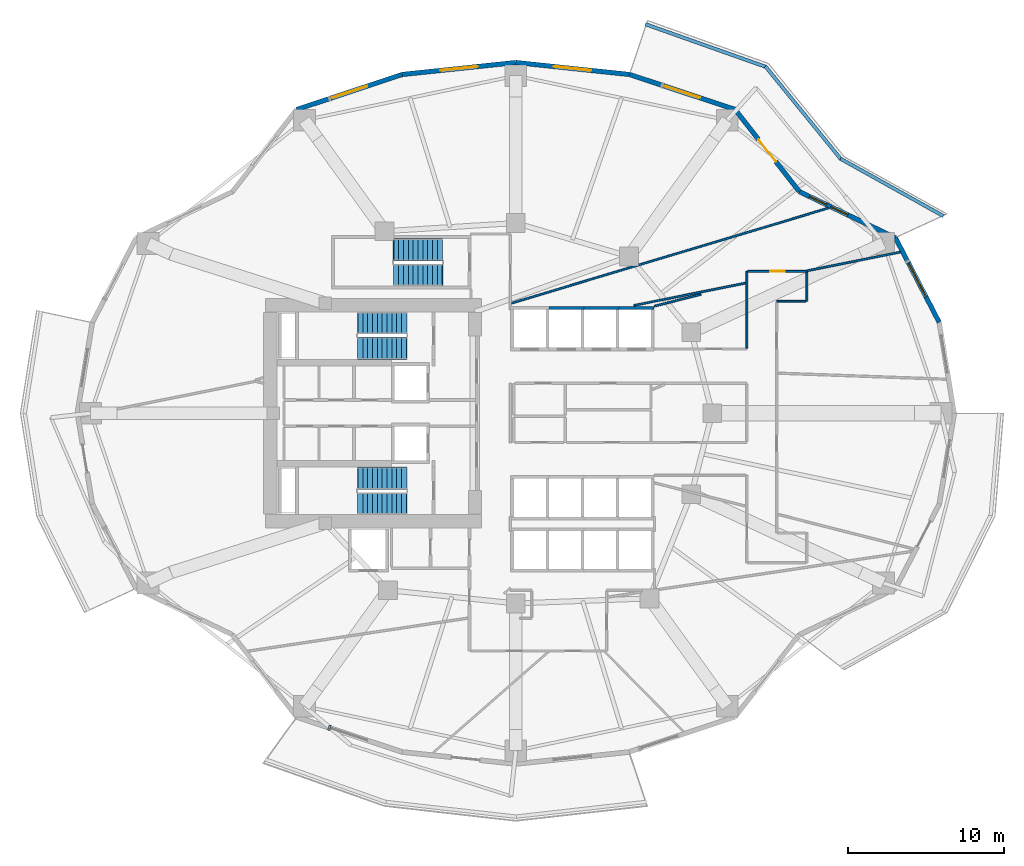
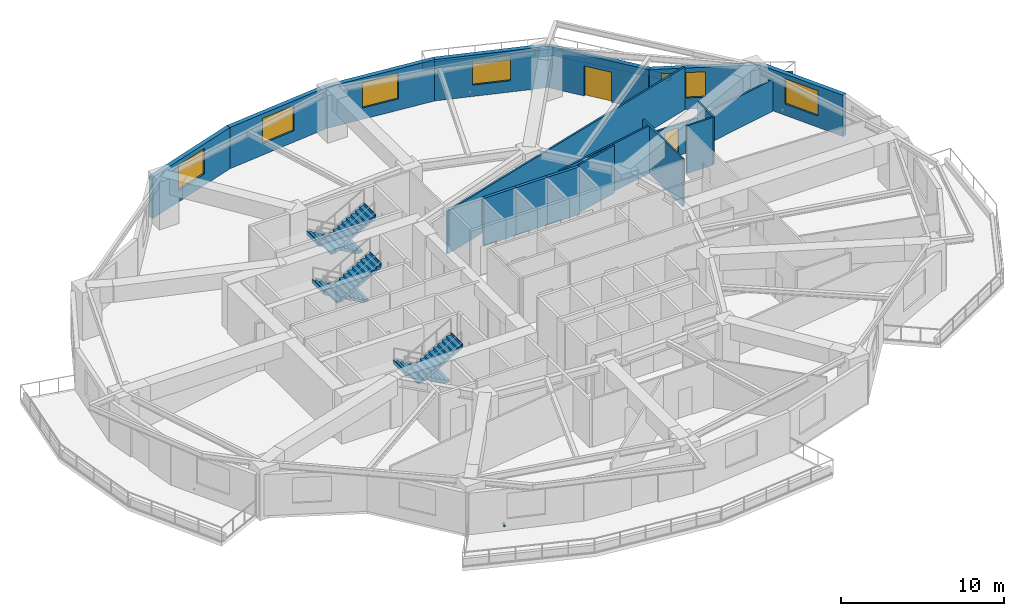
# One storey, part 7 of 13: 21 walls, 7 windows, 6 stair flights, 2 doors, 1 discrete accessory, 9 openings, 3 elements without a shape of their own.
"""IFC4 building model written with IfcOpenShell, lengths in metres."""

from ifc_helpers import new_model, si_unit, direction, frame, frame_2d, origin, origin_2d, place, context, subcontext, project, spatial, polyline, rectangle, outline, extrude, material, layer, layer_set, type_object, element, fill, aggregate, save


model = new_model("IFC4")

# Units and contexts
model_context = context("Model", 3, precision=1e-05, world=origin(), true_north=direction((0.0, 1.0)))
body_context = subcontext(model_context, "Body", "Model", "MODEL_VIEW")
ifc_project = project(units=[si_unit("LENGTHUNIT", "METRE"), si_unit("AREAUNIT", "SQUARE_METRE"), si_unit("VOLUMEUNIT", "CUBIC_METRE"), si_unit("PLANEANGLEUNIT", "RADIAN"), si_unit("MASSUNIT", "GRAM", prefix="KILO")], contexts=[model_context])

# Site, building, storey
site_placement = place(None, origin())
site = spatial("IfcSite", under=ifc_project, at=site_placement, CompositionType="ELEMENT")
building_placement = place(site_placement, origin())
building = spatial("IfcBuilding", under=site, at=building_placement, Name="Kolvaren Gate Tower and Convention Centre", CompositionType="ELEMENT")
storey_placement = place(building_placement, frame((0.0, 0.0, 49.60009765625)))
storey = spatial("IfcBuildingStorey", under=building, at=storey_placement, Name="L11", CompositionType="ELEMENT", Elevation=49.60009765625)

# Wall
ifc_material_1 = material(Name="Fire-Rated Acoustic Gypsum Stud Partition", Category="gypsum")
ifc_layer_1 = layer(ifc_material_1, 0.1201171875)
ifc_layer_set_1 = layer_set([ifc_layer_1], Name="Fire-Rated Acoustic Gypsum Stud Partition")
wall_type_1 = type_object("IfcWallType", Name="ARCH-WL-PART-120", PredefinedType="PARTITIONING", material=ifc_layer_set_1)
wall_1_placement = place(storey_placement, frame((44.949951171875, 31.181884765625, 0.0), z_axis=(0.0, 0.0, 1.0), x_axis=(0.0, 1.0, 0.0)))
element("IfcWall", 1, at=wall_1_placement, inside=storey, type_object=wall_type_1, Name="Interior Partition WL-L11-INT-034", PredefinedType="PARTITIONING", context=body_context, shape_type="SweptSolid", body=[
    extrude(rectangle(XDim=4.918212890625, YDim=0.1201171875, at=frame_2d((2.458984375, 0.0))), origin(), (0.0, 0.0, 1.0), 3.56982421875),
])

# Wall, opening, door
wall_2_placement = place(storey_placement, frame((45.011962890625, 36.10009765625, 0.0), z_axis=(0.0, 0.0, 1.0), x_axis=(1.0, 0.0, 0.0)))
wall_2 = element("IfcWall", 2, at=wall_2_placement, inside=storey, type_object=wall_type_1, Name="Interior Partition WL-L11-INT-035", PredefinedType="PARTITIONING", context=body_context, shape_type="SweptSolid", body=[
    extrude(rectangle(XDim=3.7880859375, YDim=0.1201171875, at=frame_2d((1.89404296875, 0.0))), origin(), (0.0, 0.0, 1.0), 2.3623046875),
])
opening_1_placement = place(wall_2_placement, frame((1.4189453125, 0.0, 0.0)))
opening_1 = element("IfcOpeningElement", 3, at=opening_1_placement, cuts=wall_2, Name="Opening DR-01", PredefinedType="OPENING", context=body_context, shape_type="SweptSolid", body=[
    extrude(rectangle(XDim=0.949951171875, YDim=2.10009765625, at=frame_2d((0.47509765625, 1.050048828125))), frame((0.0, 0.070068359375, 0.0), z_axis=(0.0, -1.0, 0.0), x_axis=(1.0, 0.0, 0.0)), (0.0, 0.0, 1.0), 0.14013671875),
])
ifc_material_2 = material(Name="Painted Architectural Steelwork ASTM A500 Grade C 345 MPa", Category="steel")
door_type_1 = type_object("IfcDoorType", Name="ARCH-DR-RISER-950", OperationType="SINGLE_SWING_RIGHT", PredefinedType="DOOR", material=ifc_material_2)
door_1_placement = place(opening_1_placement, origin())
door_1 = element("IfcDoor", 4, at=door_1_placement, inside=storey, type_object=door_type_1, Name="Quiet Reading Clubroom Door", OperationType="SINGLE_SWING_RIGHT", OverallHeight=2.10009765625, OverallWidth=0.949951171875, PredefinedType="DOOR", context=body_context, shape_type="SweptSolid", body=[
    extrude(rectangle(XDim=0.949951171875, YDim=2.10009765625, at=frame_2d((0.47509765625, 1.050048828125))), frame((0.0, 0.02490234375, 0.0), z_axis=(0.0, -1.0, 0.0), x_axis=(1.0, 0.0, 0.0)), (0.0, 0.0, 1.0), 0.050048828125),
])
fill(opening_1, door_1)

# Walls
wall_3_placement = place(storey_placement, frame((48.800048828125, 34.179931640625, 0.0), z_axis=(0.0, 0.0, 1.0), x_axis=(0.0, 1.0, 0.0)))
element("IfcWall", 5, at=wall_3_placement, inside=storey, type_object=wall_type_1, Name="Interior Partition WL-L11-INT-037", PredefinedType="PARTITIONING", context=body_context, shape_type="SweptSolid", body=[
    extrude(rectangle(XDim=1.858154296875, YDim=0.1201171875, at=frame_2d((0.92919921875, 0.0))), origin(), (0.0, 0.0, 1.0), 3.56982421875),
])
wall_4_placement = place(storey_placement, frame((46.8701171875, 34.179931640625, 0.0), z_axis=(0.0, 0.0, 1.0), x_axis=(1.0, 0.0, 0.0)))
element("IfcWall", 6, at=wall_4_placement, inside=storey, type_object=wall_type_1, Name="Interior Partition WL-L11-INT-038", PredefinedType="PARTITIONING", context=body_context, shape_type="SweptSolid", body=[
    extrude(rectangle(XDim=1.867919921875, YDim=0.1201171875, at=frame_2d((0.93408203125, 0.0))), origin(), (0.0, 0.0, 1.0), 3.56982421875),
])
wall_5_placement = place(storey_placement, frame((37.697998046875, 33.912109375, 0.0), z_axis=(0.0, 0.0, 1.0), x_axis=(0.980510182708, 0.196468271245, 0.0)))
element("IfcWall", 7, at=wall_5_placement, inside=storey, type_object=wall_type_1, Name="Interior Partition WL-L11-INT-048", PredefinedType="PARTITIONING", context=body_context, shape_type="SweptSolid", body=[
    extrude(rectangle(XDim=7.332763671875, YDim=0.1201171875, at=frame_2d((3.66650390625, 0.0))), origin(), (0.0, 0.0, 1.0), 3.56982421875),
])
wall_6_placement = place(storey_placement, frame((48.800048828125, 36.13671875, 0.0), z_axis=(0.0, 0.0, 1.0), x_axis=(0.980512919928, 0.196454610165, 0.0)))
element("IfcWall", 8, at=wall_6_placement, inside=storey, type_object=wall_type_1, Name="Interior Partition WL-L11-INT-049", PredefinedType="PARTITIONING", context=body_context, shape_type="SweptSolid", body=[
    extrude(rectangle(XDim=6.10302734375, YDim=0.1201171875, at=frame_2d((3.051513671875, 0.0))), origin(), (0.0, 0.0, 1.0), 2.3623046875),
])
wall_7_placement = place(storey_placement, frame((39.02001953125, 33.8701171875, 0.0), z_axis=(0.0, 0.0, 1.0), x_axis=(0.969711955751, 0.244251351837, 0.0)))
element("IfcWall", 9, at=wall_7_placement, inside=storey, type_object=wall_type_1, Name="Interior Partition WL-L11-INT-059", PredefinedType="PARTITIONING", context=body_context, shape_type="SweptSolid", body=[
    extrude(rectangle(XDim=3.07958984375, YDim=0.1201171875, at=frame_2d((1.539794921875, 0.0))), origin(), (0.0, 0.0, 1.0), 3.56982421875),
])
wall_8_placement = place(storey_placement, frame((29.842041015625, 34.0576171875, 0.0), z_axis=(0.0, 0.0, 1.0), x_axis=(0.957798094038, 0.287441839435, 0.0)))
element("IfcWall", 10, at=wall_8_placement, inside=storey, type_object=wall_type_1, Name="Interior Partition WL-L11-INT-061", PredefinedType="PARTITIONING", context=body_context, shape_type="SweptSolid", body=[
    extrude(rectangle(XDim=21.217041015625, YDim=0.1201171875, at=frame_2d((10.6083984375, 0.0))), origin(), (0.0, 0.0, 1.0), 3.204833984375),
])
ifc_material_3 = material(Name="Piedmont Cream Honed Limestone Cladding", Category="masonry")
ifc_layer_2 = layer(ifc_material_3, 0.219970703125)
ifc_layer_set_2 = layer_set([ifc_layer_2], Name="Piedmont Cream Honed Limestone Cladding")
wall_type_2 = type_object("IfcWallType", Name="ARCH-WL-PLANTER-220", PredefinedType="PARAPET", material=ifc_layer_set_2)
wall_9_placement = place(storey_placement, frame((50.959228515625, 43.322021484375, 0.0), z_axis=(0.0, 0.0, 1.0), x_axis=(0.873500119739, -0.48682393205, 0.0)))
element("IfcWall", 11, at=wall_9_placement, inside=storey, type_object=wall_type_2, Name="Vertical-Forest Balcony Stone Planter Kerb PK-L11-1.1", PredefinedType="PARAPET", context=body_context, shape_type="SweptSolid", body=[
    extrude(rectangle(XDim=7.56201171875, YDim=0.219970703125, at=frame_2d((3.781005859375, 0.0))), origin(), (0.0, 0.0, 1.0), 0.52001953125),
])
wall_10_placement = place(storey_placement, frame((46.1357421875, 49.251220703125, 0.0), z_axis=(0.0, 0.0, 1.0), x_axis=(0.630997450658, -0.775784903993, 0.0)))
element("IfcWall", 12, at=wall_10_placement, inside=storey, type_object=wall_type_2, Name="Vertical-Forest Balcony Stone Planter Kerb PK-L11-1.2", PredefinedType="PARAPET", context=body_context, shape_type="SweptSolid", body=[
    extrude(rectangle(XDim=7.7177734375, YDim=0.219970703125, at=frame_2d((3.85888671875, 0.0))), origin(), (0.0, 0.0, 1.0), 0.52001953125),
])
wall_11_placement = place(storey_placement, frame((38.43798828125, 51.955078125, 0.0), z_axis=(0.0, 0.0, 1.0), x_axis=(0.942581348797, -0.333976647237, 0.0)))
element("IfcWall", 13, at=wall_11_placement, inside=storey, type_object=wall_type_2, Name="Vertical-Forest Balcony Stone Planter Kerb PK-L11-1.3", PredefinedType="PARAPET", context=body_context, shape_type="SweptSolid", body=[
    extrude(rectangle(XDim=8.235595703125, YDim=0.219970703125, at=frame_2d((4.11767578125, 0.0))), origin(), (0.0, 0.0, 1.0), 0.52001953125),
])
ifc_material_4 = material(Name="Autoclaved Aerated Masonry Blockwork Class 4 (4.0 MPa)", Category="masonry")
ifc_layer_3 = layer(ifc_material_4, 0.199951171875)
ifc_layer_set_3 = layer_set([ifc_layer_3], Name="Autoclaved Aerated Masonry Blockwork Class 4 (4.0 MPa)")
wall_type_3 = type_object("IfcWallType", Name="ARCH-WL-SHAFT-200", PredefinedType="SOLIDWALL", material=ifc_layer_set_3)
for number, where, z_axis, x_axis, name in (
    (14, (32.25, 33.75, 0.0), (0.0, 0.0, 1.0), (1.0, 0.0, 0.0), "Elevator PL-02 L11 Fire Shaft Wall N"),
    (15, (34.5, 33.75, 0.0), (0.0, 0.0, 1.0), (1.0, 0.0, 0.0), "Elevator PL-03 L11 Fire Shaft Wall N"),
    (16, (36.75, 33.75, 0.0), (0.0, 0.0, 1.0), (1.0, 0.0, 0.0), "Elevator PL-04 L11 Fire Shaft Wall N"),
):
    element("IfcWall", number, at=place(storey_placement, frame(where, z_axis=z_axis, x_axis=x_axis)), inside=storey, type_object=wall_type_3, Name=name, PredefinedType="SOLIDWALL", context=body_context, shape_type="SweptSolid", body=[
        extrude(rectangle(XDim=2.25, YDim=0.199951171875, at=frame_2d((1.125, 0.0))), origin(), (0.0, 0.0, 1.0), 3.56982421875),
    ])

# Wall, opening, window
ifc_layer_4 = layer(ifc_material_3, 0.300048828125)
ifc_layer_set_4 = layer_set([ifc_layer_4], Name="Piedmont Cream Honed Limestone Cladding")
wall_type_4 = type_object("IfcWallType", Name="ARCH-WL-STONE-300", PredefinedType="SOLIDWALL", material=ifc_layer_set_4)
wall_12_placement = place(storey_placement, frame((54.48193359375, 38.25, 0.0), z_axis=(0.0, 0.0, 1.0), x_axis=(0.459809804413, -0.88801742312, 0.0)))
wall_12 = element("IfcWall", 17, at=wall_12_placement, inside=storey, type_object=wall_type_4, Name="Tower L11 Honed Stone Spandrel Wall EW-01", PredefinedType="SOLIDWALL", context=body_context, shape_type="SweptSolid", body=[
    extrude(rectangle(XDim=6.11083984375, YDim=0.300048828125, at=frame_2d((3.055419921875, 0.0))), origin(), (0.0, 0.0, 1.0), 3.093017578125),
])
opening_2_placement = place(wall_12_placement, frame((1.85498046875, 0.0, 0.85009765625)))
opening_2 = element("IfcOpeningElement", 18, at=opening_2_placement, cuts=wall_12, Name="Opening W-01", PredefinedType="OPENING", context=body_context, shape_type="SweptSolid", body=[
    extrude(rectangle(XDim=2.39990234375, YDim=1.89990234375, at=frame_2d((1.199951171875, 0.949951171875))), frame((0.0, 0.159912109375, 0.0), z_axis=(0.0, -1.0, 0.0), x_axis=(1.0, 0.0, 0.0)), (0.0, 0.0, 1.0), 0.320068359375),
])
ifc_material_5 = material(Name="Low-E Triple Insulated Glazing Unit 44 mm", Category="glass")
window_type_1 = type_object("IfcWindowType", Name="ARCH-WN-OFF-2400", PartitioningType="SINGLE_PANEL", PredefinedType="WINDOW", material=ifc_material_5)
window_1_placement = place(opening_2_placement, origin())
window_1 = element("IfcWindow", 19, at=window_1_placement, inside=storey, type_object=window_type_1, Name="Tower L11 Punched Stone Facade Window W-01", OverallHeight=1.89990234375, OverallWidth=2.39990234375, PartitioningType="SINGLE_PANEL", PredefinedType="WINDOW", context=body_context, shape_type="SweptSolid", body=[
    extrude(rectangle(XDim=2.39990234375, YDim=1.89990234375, at=frame_2d((1.199951171875, 0.949951171875))), frame((0.0, 0.030029296875, 0.0), z_axis=(0.0, -1.0, 0.0), x_axis=(1.0, 0.0, 0.0)), (0.0, 0.0, 1.0), 0.06005859375),
])
fill(opening_2, window_1)

# Wall, openings, windows
wall_13_placement = place(storey_placement, frame((48.315185546875, 41.212890625, 0.0), z_axis=(0.0, 0.0, 1.0), x_axis=(0.901360393999, -0.433069786673, 0.0)))
wall_13 = element("IfcWall", 20, at=wall_13_placement, inside=storey, type_object=wall_type_4, Name="Tower L11 Honed Stone Spandrel Wall EW-02", PredefinedType="SOLIDWALL", context=body_context, shape_type="SweptSolid", body=[
    extrude(rectangle(XDim=6.841552734375, YDim=0.300048828125, at=frame_2d((3.4208984375, 0.0))), origin(), (0.0, 0.0, 1.0), 3.093017578125),
])
opening_3_placement = place(wall_13_placement, frame((0.724365234375, 0.0, 0.85009765625)))
opening_3 = element("IfcOpeningElement", 21, at=opening_3_placement, cuts=wall_13, Name="Opening W-04", PredefinedType="OPENING", context=body_context, shape_type="SweptSolid", body=[
    extrude(rectangle(XDim=1.199951171875, YDim=1.89990234375, at=frame_2d((0.60009765625, 0.949951171875))), frame((0.0, 0.159912109375, 0.0), z_axis=(0.0, -1.0, 0.0), x_axis=(1.0, 0.0, 0.0)), (0.0, 0.0, 1.0), 0.320068359375),
])
opening_4_placement = place(wall_13_placement, frame((2.25341796875, 0.0, 0.85009765625)))
opening_4 = element("IfcOpeningElement", 22, at=opening_4_placement, cuts=wall_13, Name="Opening W-04", PredefinedType="OPENING", context=body_context, shape_type="SweptSolid", body=[
    extrude(rectangle(XDim=1.199951171875, YDim=1.89990234375, at=frame_2d((0.60009765625, 0.949951171875))), frame((0.0, 0.159912109375, 0.0), z_axis=(0.0, -1.0, 0.0), x_axis=(1.0, 0.0, 0.0)), (0.0, 0.0, 1.0), 0.320068359375),
])
window_type_2 = type_object("IfcWindowType", Name="ARCH-WN-NARROW-1200", PartitioningType="SINGLE_PANEL", PredefinedType="WINDOW", material=ifc_material_5)
window_2_placement = place(opening_3_placement, origin())
window_2 = element("IfcWindow", 23, at=window_2_placement, inside=storey, type_object=window_type_2, Name="Tower L11 Punched Stone Facade Window W-02", OverallHeight=1.89990234375, OverallWidth=1.199951171875, PartitioningType="SINGLE_PANEL", PredefinedType="WINDOW", context=body_context, shape_type="SweptSolid", body=[
    extrude(rectangle(XDim=1.199951171875, YDim=1.89990234375, at=frame_2d((0.60009765625, 0.949951171875))), frame((0.0, 0.030029296875, 0.0), z_axis=(0.0, -1.0, 0.0), x_axis=(1.0, 0.0, 0.0)), (0.0, 0.0, 1.0), 0.06005859375),
])
fill(opening_3, window_2)
window_3_placement = place(opening_4_placement, origin())
window_3 = element("IfcWindow", 24, at=window_3_placement, inside=storey, type_object=window_type_2, Name="Tower L11 Punched Stone Facade Window W-02B", OverallHeight=1.89990234375, OverallWidth=1.199951171875, PartitioningType="SINGLE_PANEL", PredefinedType="WINDOW", context=body_context, shape_type="SweptSolid", body=[
    extrude(rectangle(XDim=1.199951171875, YDim=1.89990234375, at=frame_2d((0.60009765625, 0.949951171875))), frame((0.0, 0.030029296875, 0.0), z_axis=(0.0, -1.0, 0.0), x_axis=(1.0, 0.0, 0.0)), (0.0, 0.0, 1.0), 0.06005859375),
])
fill(opening_4, window_3)

# Wall, opening, door
wall_14_placement = place(storey_placement, frame((44.1875, 46.485595703125, 0.0), z_axis=(0.0, 0.0, 1.0), x_axis=(0.616421309777, -0.787416515482, 0.0)))
wall_14 = element("IfcWall", 25, at=wall_14_placement, inside=storey, type_object=wall_type_4, Name="Tower L11 Honed Stone Spandrel Wall EW-03", PredefinedType="SOLIDWALL", context=body_context, shape_type="SweptSolid", body=[
    extrude(rectangle(XDim=6.6962890625, YDim=0.300048828125, at=frame_2d((3.34814453125, 0.0))), origin(), (0.0, 0.0, 1.0), 3.093017578125),
])
opening_5_placement = place(wall_14_placement, frame((2.447998046875, 0.0, 0.0)))
opening_5 = element("IfcOpeningElement", 26, at=opening_5_placement, cuts=wall_14, Name="Opening DB-01", PredefinedType="OPENING", context=body_context, shape_type="SweptSolid", body=[
    extrude(rectangle(XDim=1.800048828125, YDim=2.25, at=frame_2d((0.89990234375, 1.125))), frame((0.0, 0.159912109375, 0.0), z_axis=(0.0, -1.0, 0.0), x_axis=(1.0, 0.0, 0.0)), (0.0, 0.0, 1.0), 0.320068359375),
])
ifc_material_6 = material(Name="Anodized Architectural Aluminium Alloy 6063-T6", Category="aluminium")
door_type_2 = type_object("IfcDoorType", Name="ARCH-DR-BALC-1800", OperationType="SLIDING_TO_LEFT", PredefinedType="DOOR", material=ifc_material_6)
door_2_placement = place(opening_5_placement, origin())
door_2 = element("IfcDoor", 27, at=door_2_placement, inside=storey, type_object=door_type_2, Name="Planted Sky Terrace Access Door DB-L11-03", OperationType="SLIDING_TO_LEFT", OverallHeight=2.25, OverallWidth=1.800048828125, PredefinedType="DOOR", context=body_context, shape_type="SweptSolid", body=[
    extrude(rectangle(XDim=1.800048828125, YDim=2.25, at=frame_2d((0.89990234375, 1.125))), frame((0.0, 0.02490234375, 0.0), z_axis=(0.0, -1.0, 0.0), x_axis=(1.0, 0.0, 0.0)), (0.0, 0.0, 1.0), 0.050048828125),
])
fill(opening_5, door_2)

# Wall, opening, window
wall_15_placement = place(storey_placement, frame((37.404296875, 48.7333984375, 0.0), z_axis=(0.0, 0.0, 1.0), x_axis=(0.949238715533, -0.31455661006, 0.0)))
wall_15 = element("IfcWall", 28, at=wall_15_placement, inside=storey, type_object=wall_type_4, Name="Tower L11 Honed Stone Spandrel Wall EW-04", PredefinedType="SOLIDWALL", context=body_context, shape_type="SweptSolid", body=[
    extrude(rectangle(XDim=7.14599609375, YDim=0.300048828125, at=frame_2d((3.572998046875, 0.0))), origin(), (0.0, 0.0, 1.0), 3.093017578125),
])
opening_6_placement = place(wall_15_placement, frame((2.373046875, 0.0, 0.85009765625)))
opening_6 = element("IfcOpeningElement", 29, at=opening_6_placement, cuts=wall_15, Name="Opening W-01", PredefinedType="OPENING", context=body_context, shape_type="SweptSolid", body=[
    extrude(rectangle(XDim=2.39990234375, YDim=1.89990234375, at=frame_2d((1.199951171875, 0.949951171875))), frame((0.0, 0.159912109375, 0.0), z_axis=(0.0, -1.0, 0.0), x_axis=(1.0, 0.0, 0.0)), (0.0, 0.0, 1.0), 0.320068359375),
])
window_4_placement = place(opening_6_placement, origin())
window_4 = element("IfcWindow", 30, at=window_4_placement, inside=storey, type_object=window_type_1, Name="Tower L11 Punched Stone Facade Window W-04", OverallHeight=1.89990234375, OverallWidth=2.39990234375, PartitioningType="SINGLE_PANEL", PredefinedType="WINDOW", context=body_context, shape_type="SweptSolid", body=[
    extrude(rectangle(XDim=2.39990234375, YDim=1.89990234375, at=frame_2d((1.199951171875, 0.949951171875))), frame((0.0, 0.030029296875, 0.0), z_axis=(0.0, -1.0, 0.0), x_axis=(1.0, 0.0, 0.0)), (0.0, 0.0, 1.0), 0.06005859375),
])
fill(opening_6, window_4)

wall_16_placement = place(storey_placement, frame((30.125, 49.5, 0.0), z_axis=(0.0, 0.0, 1.0), x_axis=(0.994500334317, -0.104733399844, 0.0)))
wall_16 = element("IfcWall", 31, at=wall_16_placement, inside=storey, type_object=wall_type_4, Name="Tower L11 Honed Stone Spandrel Wall EW-05", PredefinedType="SOLIDWALL", context=body_context, shape_type="SweptSolid", body=[
    extrude(rectangle(XDim=7.319580078125, YDim=0.300048828125, at=frame_2d((3.65966796875, 0.0))), origin(), (0.0, 0.0, 1.0), 3.093017578125),
])
opening_7_placement = place(wall_16_placement, frame((2.4599609375, 0.0, 0.85009765625)))
opening_7 = element("IfcOpeningElement", 32, at=opening_7_placement, cuts=wall_16, Name="Opening W-01", PredefinedType="OPENING", context=body_context, shape_type="SweptSolid", body=[
    extrude(rectangle(XDim=2.39990234375, YDim=1.89990234375, at=frame_2d((1.199951171875, 0.949951171875))), frame((0.0, 0.159912109375, 0.0), z_axis=(0.0, -1.0, 0.0), x_axis=(1.0, 0.0, 0.0)), (0.0, 0.0, 1.0), 0.320068359375),
])
window_5_placement = place(opening_7_placement, origin())
window_5 = element("IfcWindow", 33, at=window_5_placement, inside=storey, type_object=window_type_1, Name="Tower L11 Punched Stone Facade Window W-05", OverallHeight=1.89990234375, OverallWidth=2.39990234375, PartitioningType="SINGLE_PANEL", PredefinedType="WINDOW", context=body_context, shape_type="SweptSolid", body=[
    extrude(rectangle(XDim=2.39990234375, YDim=1.89990234375, at=frame_2d((1.199951171875, 0.949951171875))), frame((0.0, 0.030029296875, 0.0), z_axis=(0.0, -1.0, 0.0), x_axis=(1.0, 0.0, 0.0)), (0.0, 0.0, 1.0), 0.06005859375),
])
fill(opening_7, window_5)

wall_17_placement = place(storey_placement, frame((22.845703125, 48.7333984375, 0.0), z_axis=(0.0, 0.0, 1.0), x_axis=(0.994500334317, 0.104733399844, 0.0)))
wall_17 = element("IfcWall", 34, at=wall_17_placement, inside=storey, type_object=wall_type_4, Name="Tower L11 Honed Stone Spandrel Wall EW-06", PredefinedType="SOLIDWALL", context=body_context, shape_type="SweptSolid", body=[
    extrude(rectangle(XDim=7.319580078125, YDim=0.300048828125, at=frame_2d((3.65966796875, 0.0))), origin(), (0.0, 0.0, 1.0), 3.093017578125),
])
opening_8_placement = place(wall_17_placement, frame((2.4599609375, 0.0, 0.85009765625)))
opening_8 = element("IfcOpeningElement", 35, at=opening_8_placement, cuts=wall_17, Name="Opening W-01", PredefinedType="OPENING", context=body_context, shape_type="SweptSolid", body=[
    extrude(rectangle(XDim=2.39990234375, YDim=1.89990234375, at=frame_2d((1.199951171875, 0.949951171875))), frame((0.0, 0.159912109375, 0.0), z_axis=(0.0, -1.0, 0.0), x_axis=(1.0, 0.0, 0.0)), (0.0, 0.0, 1.0), 0.320068359375),
])
window_6_placement = place(opening_8_placement, origin())
window_6 = element("IfcWindow", 36, at=window_6_placement, inside=storey, type_object=window_type_1, Name="Tower L11 Punched Stone Facade Window W-06", OverallHeight=1.89990234375, OverallWidth=2.39990234375, PartitioningType="SINGLE_PANEL", PredefinedType="WINDOW", context=body_context, shape_type="SweptSolid", body=[
    extrude(rectangle(XDim=2.39990234375, YDim=1.89990234375, at=frame_2d((1.199951171875, 0.949951171875))), frame((0.0, 0.030029296875, 0.0), z_axis=(0.0, -1.0, 0.0), x_axis=(1.0, 0.0, 0.0)), (0.0, 0.0, 1.0), 0.06005859375),
])
fill(opening_8, window_6)

wall_18_placement = place(storey_placement, frame((16.0625, 46.485595703125, 0.0), z_axis=(0.0, 0.0, 1.0), x_axis=(0.949238715533, 0.31455661006, 0.0)))
wall_18 = element("IfcWall", 37, at=wall_18_placement, inside=storey, type_object=wall_type_4, Name="Tower L11 Honed Stone Spandrel Wall EW-07", PredefinedType="SOLIDWALL", context=body_context, shape_type="SweptSolid", body=[
    extrude(rectangle(XDim=7.14599609375, YDim=0.300048828125, at=frame_2d((3.572998046875, 0.0))), origin(), (0.0, 0.0, 1.0), 3.093017578125),
])
opening_9_placement = place(wall_18_placement, frame((2.373046875, 0.0, 0.85009765625)))
opening_9 = element("IfcOpeningElement", 38, at=opening_9_placement, cuts=wall_18, Name="Opening W-01", PredefinedType="OPENING", context=body_context, shape_type="SweptSolid", body=[
    extrude(rectangle(XDim=2.39990234375, YDim=1.89990234375, at=frame_2d((1.199951171875, 0.949951171875))), frame((0.0, 0.159912109375, 0.0), z_axis=(0.0, -1.0, 0.0), x_axis=(1.0, 0.0, 0.0)), (0.0, 0.0, 1.0), 0.320068359375),
])
window_7_placement = place(opening_9_placement, origin())
window_7 = element("IfcWindow", 39, at=window_7_placement, inside=storey, type_object=window_type_1, Name="Tower L11 Punched Stone Facade Window W-07", OverallHeight=1.89990234375, OverallWidth=2.39990234375, PartitioningType="SINGLE_PANEL", PredefinedType="WINDOW", context=body_context, shape_type="SweptSolid", body=[
    extrude(rectangle(XDim=2.39990234375, YDim=1.89990234375, at=frame_2d((1.199951171875, 0.949951171875))), frame((0.0, 0.030029296875, 0.0), z_axis=(0.0, -1.0, 0.0), x_axis=(1.0, 0.0, 0.0)), (0.0, 0.0, 1.0), 0.06005859375),
])
fill(opening_9, window_7)

# Stair, stair flights
ifc_material_7 = material(Name="Concrete C50/60", Category="concrete")
stair_type = type_object("IfcStairType", Name="STR-STAIR-CORE", PredefinedType="HALF_TURN_STAIR", material=ifc_material_7)
stair_1_placement = place(storey_placement, origin())
stair_1 = element("IfcStair", 40, at=stair_1_placement, inside=storey, type_object=stair_type, Name="L11 Tower North Exit Stair ST-T1", PredefinedType="HALF_TURN_STAIR")
stair_flight_type = type_object("IfcStairFlightType", Name="STR-SFL-1420", PredefinedType="STRAIGHT", material=ifc_material_7)
stair_flight_1_placement = place(storey_placement, frame((23.10009765625, 32.7900390625, 0.0), z_axis=(0.0, 0.0, 1.0), x_axis=(-1.0, 0.0, 0.0)))
stair_flight_1 = element("IfcStairFlight", 41, at=stair_flight_1_placement, type_object=stair_flight_type, Name="ST-T1 flight 1", NumberOfRisers=11, NumberOfTreads=10, PredefinedType="STRAIGHT", RiserHeight=0.175, TreadLength=0.31, context=body_context, shape_type="SweptSolid", body=[
    extrude(outline(polyline([(-0.034912109375, 0.0), (-0.034912109375, 0.175048828125), (0.31005859375, 0.175048828125), (0.31005859375, 0.35009765625), (0.6201171875, 0.35009765625), (0.6201171875, 0.52490234375), (0.929931640625, 0.52490234375), (0.929931640625, 0.699951171875), (1.239990234375, 0.699951171875), (1.239990234375, 0.875), (1.550048828125, 0.875), (1.550048828125, 1.050048828125), (1.860107421875, 1.050048828125), (1.860107421875, 1.22509765625), (2.169921875, 1.22509765625), (2.169921875, 1.39990234375), (2.47998046875, 1.39990234375), (2.47998046875, 1.574951171875), (2.7900390625, 1.574951171875), (2.7900390625, 1.75), (3.10009765625, 1.75), (3.10009765625, 1.925048828125), (3.14501953125, 1.925048828125), (3.14501953125, 1.764892578125), (3.10009765625, 1.577880859375), (0.304931640625, 0.0), (-0.034912109375, 0.0)])), frame((0.0, 0.7099609375, 0.0), z_axis=(0.0, -1.0, 0.0), x_axis=(1.0, 0.0, 0.0)), (0.0, 0.0, 1.0), 1.419921875),
])
stair_flight_2_placement = place(storey_placement, frame((20.0, 31.169921875, 1.9248046875), z_axis=(0.0, 0.0, 1.0), x_axis=(1.0, 0.0, 0.0)))
stair_flight_2 = element("IfcStairFlight", 42, at=stair_flight_2_placement, type_object=stair_flight_type, Name="ST-T1 flight 2", NumberOfRisers=11, NumberOfTreads=10, PredefinedType="STRAIGHT", RiserHeight=0.175, TreadLength=0.31, context=body_context, shape_type="SweptSolid", body=[
    extrude(outline(polyline([(-0.034912109375, 0.0), (-0.034912109375, 0.175048828125), (0.31005859375, 0.175048828125), (0.31005859375, 0.35009765625), (0.6201171875, 0.35009765625), (0.6201171875, 0.52490234375), (0.929931640625, 0.52490234375), (0.929931640625, 0.699951171875), (1.239990234375, 0.699951171875), (1.239990234375, 0.875), (1.550048828125, 0.875), (1.550048828125, 1.050048828125), (1.860107421875, 1.050048828125), (1.860107421875, 1.22509765625), (2.169921875, 1.22509765625), (2.169921875, 1.39990234375), (2.47998046875, 1.39990234375), (2.47998046875, 1.574951171875), (2.7900390625, 1.574951171875), (2.7900390625, 1.75), (3.10009765625, 1.75), (3.10009765625, 1.925048828125), (3.14501953125, 1.925048828125), (3.14501953125, 1.764892578125), (3.10009765625, 1.577880859375), (0.304931640625, 0.0), (-0.034912109375, 0.0)])), frame((0.0, 0.7099609375, 0.0), z_axis=(0.0, -1.0, 0.0), x_axis=(1.0, 0.0, 0.0)), (0.0, 0.0, 1.0), 1.419921875),
])
aggregate(stair_1, [stair_flight_1, stair_flight_2])

stair_2_placement = place(storey_placement, origin())
stair_2 = element("IfcStair", 43, at=stair_2_placement, inside=storey, type_object=stair_type, Name="L11 Tower South Exit Stair ST-T2", PredefinedType="HALF_TURN_STAIR")
stair_flight_3_placement = place(storey_placement, frame((23.10009765625, 22.830078125, 0.0), z_axis=(0.0, 0.0, 1.0), x_axis=(-1.0, 0.0, 0.0)))
stair_flight_3 = element("IfcStairFlight", 44, at=stair_flight_3_placement, type_object=stair_flight_type, Name="ST-T2 flight 1", NumberOfRisers=11, NumberOfTreads=10, PredefinedType="STRAIGHT", RiserHeight=0.175, TreadLength=0.31, context=body_context, shape_type="SweptSolid", body=[
    extrude(outline(polyline([(-0.034912109375, 0.0), (-0.034912109375, 0.175048828125), (0.31005859375, 0.175048828125), (0.31005859375, 0.35009765625), (0.6201171875, 0.35009765625), (0.6201171875, 0.52490234375), (0.929931640625, 0.52490234375), (0.929931640625, 0.699951171875), (1.239990234375, 0.699951171875), (1.239990234375, 0.875), (1.550048828125, 0.875), (1.550048828125, 1.050048828125), (1.860107421875, 1.050048828125), (1.860107421875, 1.22509765625), (2.169921875, 1.22509765625), (2.169921875, 1.39990234375), (2.47998046875, 1.39990234375), (2.47998046875, 1.574951171875), (2.7900390625, 1.574951171875), (2.7900390625, 1.75), (3.10009765625, 1.75), (3.10009765625, 1.925048828125), (3.14501953125, 1.925048828125), (3.14501953125, 1.764892578125), (3.10009765625, 1.577880859375), (0.304931640625, 0.0), (-0.034912109375, 0.0)])), frame((0.0, 0.7099609375, 0.0), z_axis=(0.0, -1.0, 0.0), x_axis=(1.0, 0.0, 0.0)), (0.0, 0.0, 1.0), 1.419921875),
])
stair_flight_4_placement = place(storey_placement, frame((20.0, 21.2099609375, 1.9248046875), z_axis=(0.0, 0.0, 1.0), x_axis=(1.0, 0.0, 0.0)))
stair_flight_4 = element("IfcStairFlight", 45, at=stair_flight_4_placement, type_object=stair_flight_type, Name="ST-T2 flight 2", NumberOfRisers=11, NumberOfTreads=10, PredefinedType="STRAIGHT", RiserHeight=0.175, TreadLength=0.31, context=body_context, shape_type="SweptSolid", body=[
    extrude(outline(polyline([(-0.034912109375, 0.0), (-0.034912109375, 0.175048828125), (0.31005859375, 0.175048828125), (0.31005859375, 0.35009765625), (0.6201171875, 0.35009765625), (0.6201171875, 0.52490234375), (0.929931640625, 0.52490234375), (0.929931640625, 0.699951171875), (1.239990234375, 0.699951171875), (1.239990234375, 0.875), (1.550048828125, 0.875), (1.550048828125, 1.050048828125), (1.860107421875, 1.050048828125), (1.860107421875, 1.22509765625), (2.169921875, 1.22509765625), (2.169921875, 1.39990234375), (2.47998046875, 1.39990234375), (2.47998046875, 1.574951171875), (2.7900390625, 1.574951171875), (2.7900390625, 1.75), (3.10009765625, 1.75), (3.10009765625, 1.925048828125), (3.14501953125, 1.925048828125), (3.14501953125, 1.764892578125), (3.10009765625, 1.577880859375), (0.304931640625, 0.0), (-0.034912109375, 0.0)])), frame((0.0, 0.7099609375, 0.0), z_axis=(0.0, -1.0, 0.0), x_axis=(1.0, 0.0, 0.0)), (0.0, 0.0, 1.0), 1.419921875),
])
aggregate(stair_2, [stair_flight_3, stair_flight_4])

stair_3_placement = place(storey_placement, origin())
stair_3 = element("IfcStair", 46, at=stair_3_placement, inside=storey, type_object=stair_type, Name="L11 Tower Mid-Zone Exit Stair ST-T3", PredefinedType="HALF_TURN_STAIR")
stair_flight_5_placement = place(storey_placement, frame((25.39990234375, 37.489990234375, 0.0), z_axis=(0.0, 0.0, 1.0), x_axis=(-1.0, 0.0, 0.0)))
stair_flight_5 = element("IfcStairFlight", 47, at=stair_flight_5_placement, type_object=stair_flight_type, Name="ST-T3 flight 1", NumberOfRisers=11, NumberOfTreads=10, PredefinedType="STRAIGHT", RiserHeight=0.175, TreadLength=0.31, context=body_context, shape_type="SweptSolid", body=[
    extrude(outline(polyline([(-0.034912109375, 0.0), (-0.034912109375, 0.175048828125), (0.31005859375, 0.175048828125), (0.31005859375, 0.35009765625), (0.6201171875, 0.35009765625), (0.6201171875, 0.52490234375), (0.929931640625, 0.52490234375), (0.929931640625, 0.699951171875), (1.239990234375, 0.699951171875), (1.239990234375, 0.875), (1.550048828125, 0.875), (1.550048828125, 1.050048828125), (1.860107421875, 1.050048828125), (1.860107421875, 1.22509765625), (2.169921875, 1.22509765625), (2.169921875, 1.39990234375), (2.47998046875, 1.39990234375), (2.47998046875, 1.574951171875), (2.7900390625, 1.574951171875), (2.7900390625, 1.75), (3.10009765625, 1.75), (3.10009765625, 1.925048828125), (3.14501953125, 1.925048828125), (3.14501953125, 1.764892578125), (3.10009765625, 1.577880859375), (0.304931640625, 0.0), (-0.034912109375, 0.0)])), frame((0.0, 0.7099609375, 0.0), z_axis=(0.0, -1.0, 0.0), x_axis=(1.0, 0.0, 0.0)), (0.0, 0.0, 1.0), 1.419921875),
])
stair_flight_6_placement = place(storey_placement, frame((22.300048828125, 35.8701171875, 1.9248046875), z_axis=(0.0, 0.0, 1.0), x_axis=(1.0, 0.0, 0.0)))
stair_flight_6 = element("IfcStairFlight", 48, at=stair_flight_6_placement, type_object=stair_flight_type, Name="ST-T3 flight 2", NumberOfRisers=11, NumberOfTreads=10, PredefinedType="STRAIGHT", RiserHeight=0.175, TreadLength=0.31, context=body_context, shape_type="SweptSolid", body=[
    extrude(outline(polyline([(-0.034912109375, 0.0), (-0.034912109375, 0.175048828125), (0.31005859375, 0.175048828125), (0.31005859375, 0.35009765625), (0.6201171875, 0.35009765625), (0.6201171875, 0.52490234375), (0.929931640625, 0.52490234375), (0.929931640625, 0.699951171875), (1.239990234375, 0.699951171875), (1.239990234375, 0.875), (1.550048828125, 0.875), (1.550048828125, 1.050048828125), (1.860107421875, 1.050048828125), (1.860107421875, 1.22509765625), (2.169921875, 1.22509765625), (2.169921875, 1.39990234375), (2.47998046875, 1.39990234375), (2.47998046875, 1.574951171875), (2.7900390625, 1.574951171875), (2.7900390625, 1.75), (3.10009765625, 1.75), (3.10009765625, 1.925048828125), (3.14501953125, 1.925048828125), (3.14501953125, 1.764892578125), (3.10009765625, 1.577880859375), (0.304931640625, 0.0), (-0.034912109375, 0.0)])), frame((0.0, 0.7099609375, 0.0), z_axis=(0.0, -1.0, 0.0), x_axis=(1.0, 0.0, 0.0)), (0.0, 0.0, 1.0), 1.419921875),
])
aggregate(stair_3, [stair_flight_5, stair_flight_6])

# Discrete accessory
discrete_accessory_type = type_object("IfcDiscreteAccessoryType", Name="ARCH-ACC-BRACKET-120", PredefinedType="BRACKET", material=ifc_material_6)
discrete_accessory_placement = place(storey_placement, frame((18.1630859375, 6.818359375, 0.289794921875), z_axis=(0.0, 0.0, 1.0), x_axis=(0.949242826568, -0.314544203905, 0.0)))
element("IfcDiscreteAccessory", 49, at=discrete_accessory_placement, inside=storey, type_object=discrete_accessory_type, Name="Ceramic Fin Wall Anchor Bracket FBK-L11-16", PredefinedType="BRACKET", context=body_context, shape_type="SweptSolid", body=[
    extrude(rectangle(XDim=0.1201171875, YDim=0.320068359375, at=origin_2d()), origin(), (0.0, 0.0, 1.0), 0.1201171875),
])

save(model, "model.ifc")
